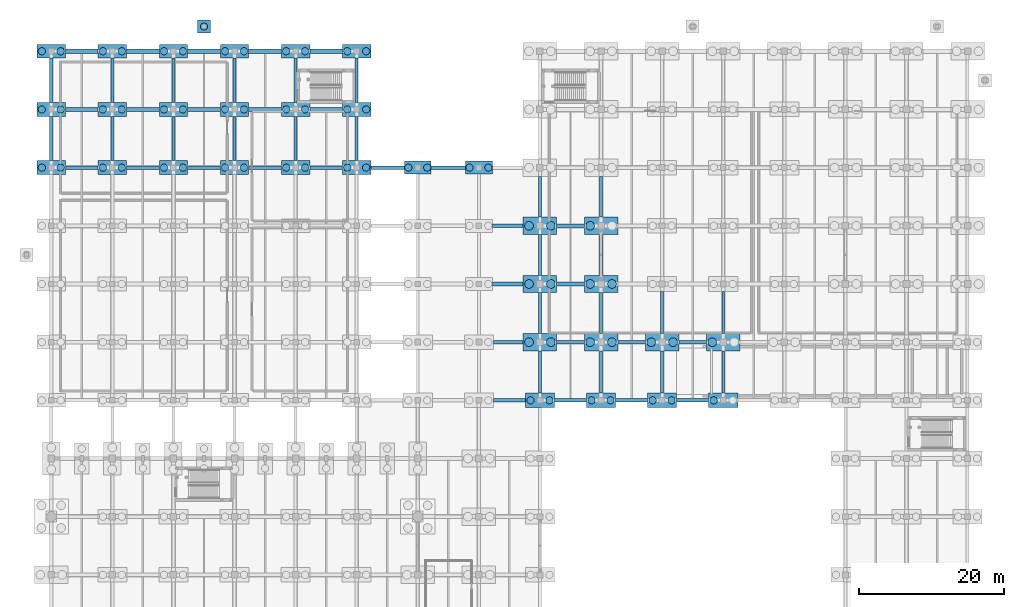
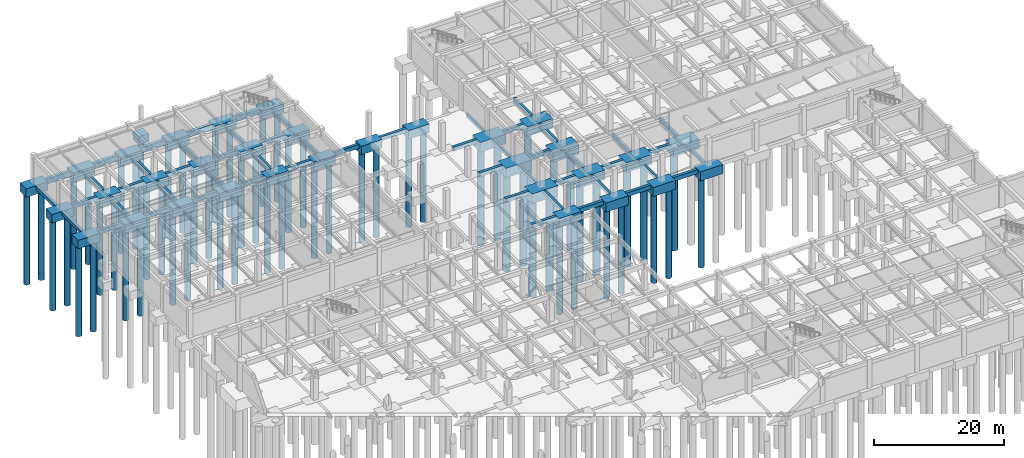
# One storey, part 7 of 56: 86 footings, 62 piles.
"""IFC4 building model written with IfcOpenShell, lengths in metres."""

from ifc_helpers import new_model, si_unit, direction, frame, origin, origin_2d, place, context, subcontext, project, spatial, rectangle, circle, extrude, material, material_profile, profile_set, type_object, element, save


model = new_model("IFC4")

# Units and contexts
model_context = context("Model", 3, precision=1e-05, world=origin(), true_north=direction((0.0, 1.0)))
body_context = subcontext(model_context, "Body", "Model", "MODEL_VIEW")
ifc_project = project(units=[si_unit("LENGTHUNIT", "METRE"), si_unit("AREAUNIT", "SQUARE_METRE"), si_unit("VOLUMEUNIT", "CUBIC_METRE"), si_unit("PLANEANGLEUNIT", "RADIAN"), si_unit("MASSUNIT", "GRAM", prefix="KILO")], contexts=[model_context])

# Site, building, storey
site_placement = place(None, origin())
site = spatial("IfcSite", under=ifc_project, at=site_placement, CompositionType="ELEMENT")
building_placement = place(site_placement, origin())
building = spatial("IfcBuilding", under=site, at=building_placement, Name="Naruveol Harbour Congress Hotel", CompositionType="ELEMENT")
storey_placement = place(building_placement, frame((0.0, 0.0, -5.39990234375)))
storey = spatial("IfcBuildingStorey", under=building, at=storey_placement, Name="B01", CompositionType="ELEMENT", Elevation=-5.39990234375)

# Piles
ifc_material_1 = material(Name="Concrete C40/50", Category="concrete")
ifc_material_profile_1 = material_profile(ifc_material_1, circle(Radius=0.5, at=origin_2d()), Name="BP-1000")
ifc_profile_set_1 = profile_set([ifc_material_profile_1], Name="Concrete C40/50")
pile_type_1 = type_object("IfcPileType", Name="BORED ROCK SOCKETED PILE D1000", PredefinedType="BORED", material=ifc_profile_set_1)
for number, where, z_axis, x_axis, name in (
    (1, (-1.300048828125, 96.0, -1.4501953125), (0.0, 0.0, -1.0), (1.0, 0.0, 0.0), "Bored pile BP-1000 #1 under FTG-CAP-0000-0960"),
    (2, (1.300048828125, 96.0, -1.4501953125), (0.0, 0.0, -1.0), (1.0, 0.0, 0.0), "Bored pile BP-1000 #2 under FTG-CAP-0000-0960"),
    (3, (-1.300048828125, 104.0, -1.4501953125), (0.0, 0.0, -1.0), (1.0, 0.0, 0.0), "Bored pile BP-1000 #1 under FTG-CAP-0000-1040"),
    (4, (1.300048828125, 104.0, -1.4501953125), (0.0, 0.0, -1.0), (1.0, 0.0, 0.0), "Bored pile BP-1000 #2 under FTG-CAP-0000-1040"),
    (5, (-1.300048828125, 112.0, -1.4501953125), (0.0, 0.0, -1.0), (1.0, 0.0, 0.0), "Bored pile BP-1000 #1 under FTG-CAP-0000-1120"),
    (6, (1.300048828125, 112.0, -1.4501953125), (0.0, 0.0, -1.0), (1.0, 0.0, 0.0), "Bored pile BP-1000 #2 under FTG-CAP-0000-1120"),
    (7, (7.10009765625, 96.0, -1.4501953125), (0.0, 0.0, -1.0), (1.0, 0.0, 0.0), "Bored pile BP-1000 #1 under FTG-CAP-0084-0960"),
    (8, (9.699951171875, 96.0, -1.4501953125), (0.0, 0.0, -1.0), (1.0, 0.0, 0.0), "Bored pile BP-1000 #2 under FTG-CAP-0084-0960"),
    (9, (7.10009765625, 104.0, -1.4501953125), (0.0, 0.0, -1.0), (1.0, 0.0, 0.0), "Bored pile BP-1000 #1 under FTG-CAP-0084-1040"),
    (10, (9.699951171875, 104.0, -1.4501953125), (0.0, 0.0, -1.0), (1.0, 0.0, 0.0), "Bored pile BP-1000 #2 under FTG-CAP-0084-1040"),
    (11, (7.10009765625, 112.0, -1.4501953125), (0.0, 0.0, -1.0), (1.0, 0.0, 0.0), "Bored pile BP-1000 #1 under FTG-CAP-0084-1120"),
    (12, (9.699951171875, 112.0, -1.4501953125), (0.0, 0.0, -1.0), (1.0, 0.0, 0.0), "Bored pile BP-1000 #2 under FTG-CAP-0084-1120"),
    (13, (15.5, 96.0, -1.4501953125), (0.0, 0.0, -1.0), (1.0, 0.0, 0.0), "Bored pile BP-1000 #1 under FTG-CAP-0168-0960"),
    (14, (18.10009765625, 96.0, -1.4501953125), (0.0, 0.0, -1.0), (1.0, 0.0, 0.0), "Bored pile BP-1000 #2 under FTG-CAP-0168-0960"),
    (15, (15.5, 104.0, -1.4501953125), (0.0, 0.0, -1.0), (1.0, 0.0, 0.0), "Bored pile BP-1000 #1 under FTG-CAP-0168-1040"),
    (16, (18.10009765625, 104.0, -1.4501953125), (0.0, 0.0, -1.0), (1.0, 0.0, 0.0), "Bored pile BP-1000 #2 under FTG-CAP-0168-1040"),
    (17, (15.5, 112.0, -1.4501953125), (0.0, 0.0, -1.0), (1.0, 0.0, 0.0), "Bored pile BP-1000 #1 under FTG-CAP-0168-1120"),
    (18, (18.10009765625, 112.0, -1.4501953125), (0.0, 0.0, -1.0), (1.0, 0.0, 0.0), "Bored pile BP-1000 #2 under FTG-CAP-0168-1120"),
):
    element("IfcPile", number, at=place(storey_placement, frame(where, z_axis=z_axis, x_axis=x_axis)), inside=storey, type_object=pile_type_1, Name=name, PredefinedType="BORED", context=body_context, shape_type="SweptSolid", body=[
        extrude(circle(Radius=0.5, at=origin_2d()), origin(), (0.0, 0.0, 1.0), 17.14990234375),
    ])
pile_placement = place(storey_placement, frame((21.0, 115.39990234375, -1.35009765625), z_axis=(0.0, 0.0, -1.0), x_axis=(1.0, 0.0, 0.0)))
element("IfcPile", 19, at=pile_placement, inside=storey, type_object=pile_type_1, Name="Bored pile BP-1000 #1 under FTG-CAP-0210-1154", PredefinedType="BORED", context=body_context, shape_type="SweptSolid", body=[
    extrude(circle(Radius=0.5, at=origin_2d()), origin(), (0.0, 0.0, 1.0), 17.25),
])
for number, where, z_axis, x_axis, name in (
    (20, (23.89990234375, 96.0, -1.4501953125), (0.0, 0.0, -1.0), (1.0, 0.0, 0.0), "Bored pile BP-1000 #1 under FTG-CAP-0252-0960"),
    (21, (26.5, 96.0, -1.4501953125), (0.0, 0.0, -1.0), (1.0, 0.0, 0.0), "Bored pile BP-1000 #2 under FTG-CAP-0252-0960"),
    (22, (23.89990234375, 104.0, -1.4501953125), (0.0, 0.0, -1.0), (1.0, 0.0, 0.0), "Bored pile BP-1000 #1 under FTG-CAP-0252-1040"),
    (23, (26.5, 104.0, -1.4501953125), (0.0, 0.0, -1.0), (1.0, 0.0, 0.0), "Bored pile BP-1000 #2 under FTG-CAP-0252-1040"),
    (24, (23.89990234375, 112.0, -1.4501953125), (0.0, 0.0, -1.0), (1.0, 0.0, 0.0), "Bored pile BP-1000 #1 under FTG-CAP-0252-1120"),
    (25, (26.5, 112.0, -1.4501953125), (0.0, 0.0, -1.0), (1.0, 0.0, 0.0), "Bored pile BP-1000 #2 under FTG-CAP-0252-1120"),
    (26, (32.300048828125, 96.0, -1.4501953125), (0.0, 0.0, -1.0), (1.0, 0.0, 0.0), "Bored pile BP-1000 #1 under FTG-CAP-0336-0960"),
    (27, (34.89990234375, 96.0, -1.4501953125), (0.0, 0.0, -1.0), (1.0, 0.0, 0.0), "Bored pile BP-1000 #2 under FTG-CAP-0336-0960"),
    (28, (32.300048828125, 104.0, -1.4501953125), (0.0, 0.0, -1.0), (1.0, 0.0, 0.0), "Bored pile BP-1000 #1 under FTG-CAP-0336-1040"),
    (29, (34.89990234375, 104.0, -1.4501953125), (0.0, 0.0, -1.0), (1.0, 0.0, 0.0), "Bored pile BP-1000 #2 under FTG-CAP-0336-1040"),
    (30, (32.300048828125, 112.0, -1.4501953125), (0.0, 0.0, -1.0), (1.0, 0.0, 0.0), "Bored pile BP-1000 #1 under FTG-CAP-0336-1120"),
    (31, (34.89990234375, 112.0, -1.4501953125), (0.0, 0.0, -1.0), (1.0, 0.0, 0.0), "Bored pile BP-1000 #2 under FTG-CAP-0336-1120"),
    (32, (40.699951171875, 96.0, -1.4501953125), (0.0, 0.0, -1.0), (1.0, 0.0, 0.0), "Bored pile BP-1000 #1 under FTG-CAP-0420-0960"),
    (33, (43.300048828125, 96.0, -1.4501953125), (0.0, 0.0, -1.0), (1.0, 0.0, 0.0), "Bored pile BP-1000 #2 under FTG-CAP-0420-0960"),
    (34, (40.699951171875, 104.0, -1.4501953125), (0.0, 0.0, -1.0), (1.0, 0.0, 0.0), "Bored pile BP-1000 #1 under FTG-CAP-0420-1040"),
    (35, (43.300048828125, 104.0, -1.4501953125), (0.0, 0.0, -1.0), (1.0, 0.0, 0.0), "Bored pile BP-1000 #2 under FTG-CAP-0420-1040"),
    (36, (40.699951171875, 112.0, -1.4501953125), (0.0, 0.0, -1.0), (1.0, 0.0, 0.0), "Bored pile BP-1000 #1 under FTG-CAP-0420-1120"),
    (37, (43.300048828125, 112.0, -1.4501953125), (0.0, 0.0, -1.0), (1.0, 0.0, 0.0), "Bored pile BP-1000 #2 under FTG-CAP-0420-1120"),
    (38, (49.10009765625, 96.0, -1.4501953125), (0.0, 0.0, -1.0), (1.0, 0.0, 0.0), "Bored pile BP-1000 #1 under FTG-CAP-0504-0960"),
    (39, (51.699951171875, 96.0, -1.4501953125), (0.0, 0.0, -1.0), (1.0, 0.0, 0.0), "Bored pile BP-1000 #2 under FTG-CAP-0504-0960"),
    (40, (57.5, 96.0, -1.4501953125), (0.0, 0.0, -1.0), (1.0, 0.0, 0.0), "Bored pile BP-1000 #1 under FTG-CAP-0588-0960"),
    (41, (60.10009765625, 96.0, -1.4501953125), (0.0, 0.0, -1.0), (1.0, 0.0, 0.0), "Bored pile BP-1000 #2 under FTG-CAP-0588-0960"),
):
    element("IfcPile", number, at=place(storey_placement, frame(where, z_axis=z_axis, x_axis=x_axis)), inside=storey, type_object=pile_type_1, Name=name, PredefinedType="BORED", context=body_context, shape_type="SweptSolid", body=[
        extrude(circle(Radius=0.5, at=origin_2d()), origin(), (0.0, 0.0, 1.0), 17.14990234375),
    ])
for number, where, z_axis, x_axis, name in (
    (42, (65.89990234375, 64.0, -1.550048828125), (0.0, 0.0, -1.0), (1.0, 0.0, 0.0), "Bored pile BP-1000 #1 under FTG-CAP-0672-0640"),
    (43, (68.5, 64.0, -1.550048828125), (0.0, 0.0, -1.0), (1.0, 0.0, 0.0), "Bored pile BP-1000 #2 under FTG-CAP-0672-0640"),
    (44, (74.300048828125, 64.0, -1.550048828125), (0.0, 0.0, -1.0), (1.0, 0.0, 0.0), "Bored pile BP-1000 #1 under FTG-CAP-0756-0640"),
    (45, (76.89990234375, 64.0, -1.550048828125), (0.0, 0.0, -1.0), (1.0, 0.0, 0.0), "Bored pile BP-1000 #2 under FTG-CAP-0756-0640"),
    (46, (82.699951171875, 64.0, -1.550048828125), (0.0, 0.0, -1.0), (1.0, 0.0, 0.0), "Bored pile BP-1000 #1 under FTG-CAP-0840-0640"),
    (47, (85.300048828125, 64.0, -1.550048828125), (0.0, 0.0, -1.0), (1.0, 0.0, 0.0), "Bored pile BP-1000 #2 under FTG-CAP-0840-0640"),
    (48, (91.10009765625, 64.0, -1.550048828125), (0.0, 0.0, -1.0), (1.0, 0.0, 0.0), "Bored pile BP-1000 #1 under FTG-CAP-0924-0640"),
):
    element("IfcPile", number, at=place(storey_placement, frame(where, z_axis=z_axis, x_axis=x_axis)), inside=storey, type_object=pile_type_1, Name=name, PredefinedType="BORED", context=body_context, shape_type="SweptSolid", body=[
        extrude(circle(Radius=0.5, at=origin_2d()), origin(), (0.0, 0.0, 1.0), 17.050048828125),
    ])
ifc_material_2 = material(Name="Concrete C40/50", Category="concrete")
ifc_material_profile_2 = material_profile(ifc_material_2, circle(Radius=0.60009765625, at=origin_2d()), Name="BP-1200")
ifc_profile_set_2 = profile_set([ifc_material_profile_2], Name="Concrete C40/50")
pile_type_2 = type_object("IfcPileType", Name="BORED ROCK SOCKETED PILE D1200", PredefinedType="BORED", material=ifc_profile_set_2)
for number, where, z_axis, x_axis, name in (
    (49, (65.699951171875, 72.0, -1.650146484375), (0.0, 0.0, -1.0), (1.0, 0.0, 0.0), "Bored pile BP-1200 #1 under FTG-CAP-0672-0720"),
    (50, (68.699951171875, 72.0, -1.650146484375), (0.0, 0.0, -1.0), (1.0, 0.0, 0.0), "Bored pile BP-1200 #2 under FTG-CAP-0672-0720"),
    (51, (65.699951171875, 80.0, -1.650146484375), (0.0, 0.0, -1.0), (1.0, 0.0, 0.0), "Bored pile BP-1200 #1 under FTG-CAP-0672-0800"),
    (52, (68.699951171875, 80.0, -1.650146484375), (0.0, 0.0, -1.0), (1.0, 0.0, 0.0), "Bored pile BP-1200 #2 under FTG-CAP-0672-0800"),
    (53, (65.699951171875, 88.0, -1.650146484375), (0.0, 0.0, -1.0), (1.0, 0.0, 0.0), "Bored pile BP-1200 #1 under FTG-CAP-0672-0880"),
    (54, (68.699951171875, 88.0, -1.650146484375), (0.0, 0.0, -1.0), (1.0, 0.0, 0.0), "Bored pile BP-1200 #2 under FTG-CAP-0672-0880"),
    (55, (74.10009765625, 72.0, -1.650146484375), (0.0, 0.0, -1.0), (1.0, 0.0, 0.0), "Bored pile BP-1200 #1 under FTG-CAP-0756-0720"),
    (56, (77.10009765625, 72.0, -1.650146484375), (0.0, 0.0, -1.0), (1.0, 0.0, 0.0), "Bored pile BP-1200 #2 under FTG-CAP-0756-0720"),
    (57, (74.10009765625, 80.0, -1.650146484375), (0.0, 0.0, -1.0), (1.0, 0.0, 0.0), "Bored pile BP-1200 #1 under FTG-CAP-0756-0800"),
    (58, (77.10009765625, 80.0, -1.650146484375), (0.0, 0.0, -1.0), (1.0, 0.0, 0.0), "Bored pile BP-1200 #2 under FTG-CAP-0756-0800"),
    (59, (74.10009765625, 88.0, -1.650146484375), (0.0, 0.0, -1.0), (1.0, 0.0, 0.0), "Bored pile BP-1200 #1 under FTG-CAP-0756-0880"),
    (60, (82.5, 72.0, -1.650146484375), (0.0, 0.0, -1.0), (1.0, 0.0, 0.0), "Bored pile BP-1200 #1 under FTG-CAP-0840-0720"),
    (61, (85.5, 72.0, -1.650146484375), (0.0, 0.0, -1.0), (1.0, 0.0, 0.0), "Bored pile BP-1200 #2 under FTG-CAP-0840-0720"),
    (62, (90.89990234375, 72.0, -1.650146484375), (0.0, 0.0, -1.0), (1.0, 0.0, 0.0), "Bored pile BP-1200 #1 under FTG-CAP-0924-0720"),
):
    element("IfcPile", number, at=place(storey_placement, frame(where, z_axis=z_axis, x_axis=x_axis)), inside=storey, type_object=pile_type_2, Name=name, PredefinedType="BORED", context=body_context, shape_type="SweptSolid", body=[
        extrude(circle(Radius=0.60009765625, at=origin_2d()), origin(), (0.0, 0.0, 1.0), 18.449951171875),
    ])

# Footings
ifc_material_3 = material(Name="Concrete C40/50", Category="concrete")
footing_type_1 = type_object("IfcFootingType", Name="RC APRON EDGE PILE CAP 1800X1800X1500", PredefinedType="PILE_CAP", material=ifc_material_3)
footing_1_placement = place(storey_placement, frame((21.0, 115.39990234375, -1.5), z_axis=(0.0, 0.0, 1.0), x_axis=(1.0, 0.0, 0.0)))
element("IfcFooting", 63, at=footing_1_placement, inside=storey, type_object=footing_type_1, Name="Pile cap PC9 at (21.0, 115.4)", PredefinedType="PILE_CAP", context=body_context, shape_type="SweptSolid", body=[
    extrude(rectangle(XDim=1.800048828125, YDim=1.800048828125, at=origin_2d()), origin(), (0.0, 0.0, 1.0), 1.5),
])
ifc_material_4 = material(Name="Concrete C40/50", Category="concrete")
ifc_material_profile_3 = material_profile(ifc_material_4, rectangle(XDim=0.39990234375, YDim=0.64990234375, at=origin_2d()), Name="RCB-400x650")
ifc_profile_set_3 = profile_set([ifc_material_profile_3], Name="Concrete C40/50")
footing_type_2 = type_object("IfcFootingType", Name="RC COLONNADE TIE BEAM 400X650", PredefinedType="FOOTING_BEAM", material=ifc_profile_set_3)
for number, where, z_axis, x_axis, name in (
    (64, (8.39990234375, 96.949951171875, -0.3251953125), (0.0, 1.0, 0.0), (-1.0, 0.0, 0.0), "Foundation tie beam TB4 #252"),
    (65, (8.39990234375, 104.949951171875, -0.3251953125), (0.0, 1.0, 0.0), (-1.0, 0.0, 0.0), "Foundation tie beam TB4 #253"),
    (66, (16.800048828125, 96.949951171875, -0.3251953125), (0.0, 1.0, 0.0), (-1.0, 0.0, 0.0), "Foundation tie beam TB4 #266"),
    (67, (16.800048828125, 104.949951171875, -0.3251953125), (0.0, 1.0, 0.0), (-1.0, 0.0, 0.0), "Foundation tie beam TB4 #267"),
    (68, (25.199951171875, 96.949951171875, -0.3251953125), (0.0, 1.0, 0.0), (-1.0, 0.0, 0.0), "Foundation tie beam TB4 #280"),
    (69, (25.199951171875, 104.949951171875, -0.3251953125), (0.0, 1.0, 0.0), (-1.0, 0.0, 0.0), "Foundation tie beam TB4 #281"),
    (70, (33.60009765625, 96.949951171875, -0.3251953125), (0.0, 1.0, 0.0), (-1.0, 0.0, 0.0), "Foundation tie beam TB4 #294"),
    (71, (33.60009765625, 104.949951171875, -0.3251953125), (0.0, 1.0, 0.0), (-1.0, 0.0, 0.0), "Foundation tie beam TB4 #295"),
    (72, (42.0, 96.949951171875, -0.3251953125), (0.0, 1.0, 0.0), (-1.0, 0.0, 0.0), "Foundation tie beam TB4 #308"),
    (73, (42.0, 104.949951171875, -0.3251953125), (0.0, 1.0, 0.0), (-1.0, 0.0, 0.0), "Foundation tie beam TB4 #309"),
):
    element("IfcFooting", number, at=place(storey_placement, frame(where, z_axis=z_axis, x_axis=x_axis)), inside=storey, type_object=footing_type_2, Name=name, PredefinedType="FOOTING_BEAM", context=body_context, shape_type="SweptSolid", body=[
        extrude(rectangle(XDim=0.39990234375, YDim=0.64990234375, at=origin_2d()), origin(), (0.0, 0.0, 1.0), 6.10009765625),
    ])
footing_2_placement = place(storey_placement, frame((67.199951171875, 65.0, -0.3251953125), z_axis=(0.0, 1.0, 0.0), x_axis=(-1.0, 0.0, 0.0)))
element("IfcFooting", 74, at=footing_2_placement, inside=storey, type_object=footing_type_2, Name="Foundation tie beam TB4 #342", PredefinedType="FOOTING_BEAM", context=body_context, shape_type="SweptSolid", body=[
    extrude(rectangle(XDim=0.39990234375, YDim=0.64990234375, at=origin_2d()), origin(), (0.0, 0.0, 1.0), 5.800048828125),
])
for number, where, z_axis, x_axis, name in (
    (75, (67.199951171875, 73.199951171875, -0.3251953125), (0.0, 1.0, 0.0), (-1.0, 0.0, 0.0), "Foundation tie beam TB4 #343"),
    (76, (67.199951171875, 81.199951171875, -0.3251953125), (0.0, 1.0, 0.0), (-1.0, 0.0, 0.0), "Foundation tie beam TB4 #344"),
    (77, (67.199951171875, 89.199951171875, -0.3251953125), (0.0, 1.0, 0.0), (-1.0, 0.0, 0.0), "Foundation tie beam TB4 #345"),
):
    element("IfcFooting", number, at=place(storey_placement, frame(where, z_axis=z_axis, x_axis=x_axis)), inside=storey, type_object=footing_type_2, Name=name, PredefinedType="FOOTING_BEAM", context=body_context, shape_type="SweptSolid", body=[
        extrude(rectangle(XDim=0.39990234375, YDim=0.64990234375, at=origin_2d()), origin(), (0.0, 0.0, 1.0), 5.60009765625),
    ])
footing_3_placement = place(storey_placement, frame((75.60009765625, 65.0, -0.3251953125), z_axis=(0.0, 1.0, 0.0), x_axis=(-1.0, 0.0, 0.0)))
element("IfcFooting", 78, at=footing_3_placement, inside=storey, type_object=footing_type_2, Name="Foundation tie beam TB4 #352", PredefinedType="FOOTING_BEAM", context=body_context, shape_type="SweptSolid", body=[
    extrude(rectangle(XDim=0.39990234375, YDim=0.64990234375, at=origin_2d()), origin(), (0.0, 0.0, 1.0), 5.800048828125),
])
for number, where, z_axis, x_axis, name in (
    (79, (75.60009765625, 73.199951171875, -0.3251953125), (0.0, 1.0, 0.0), (-1.0, 0.0, 0.0), "Foundation tie beam TB4 #353"),
    (80, (75.60009765625, 81.199951171875, -0.3251953125), (0.0, 1.0, 0.0), (-1.0, 0.0, 0.0), "Foundation tie beam TB4 #354"),
    (81, (75.60009765625, 89.199951171875, -0.3251953125), (0.0, 1.0, 0.0), (-1.0, 0.0, 0.0), "Foundation tie beam TB4 #355"),
):
    element("IfcFooting", number, at=place(storey_placement, frame(where, z_axis=z_axis, x_axis=x_axis)), inside=storey, type_object=footing_type_2, Name=name, PredefinedType="FOOTING_BEAM", context=body_context, shape_type="SweptSolid", body=[
        extrude(rectangle(XDim=0.39990234375, YDim=0.64990234375, at=origin_2d()), origin(), (0.0, 0.0, 1.0), 5.60009765625),
    ])
for number, where, z_axis, x_axis, name in (
    (82, (84.0, 65.0, -0.3251953125), (0.0, 1.0, 0.0), (-1.0, 0.0, 0.0), "Foundation tie beam TB4 #362"),
    (83, (84.0, 73.199951171875, -0.3251953125), (0.0, 1.0, 0.0), (-1.0, 0.0, 0.0), "Foundation tie beam TB4 #363"),
    (84, (92.39990234375, 65.0, -0.3251953125), (0.0, 1.0, 0.0), (-1.0, 0.0, 0.0), "Foundation tie beam TB4 #372"),
    (85, (92.39990234375, 73.199951171875, -0.3251953125), (0.0, 1.0, 0.0), (-1.0, 0.0, 0.0), "Foundation tie beam TB4 #373"),
):
    element("IfcFooting", number, at=place(storey_placement, frame(where, z_axis=z_axis, x_axis=x_axis)), inside=storey, type_object=footing_type_2, Name=name, PredefinedType="FOOTING_BEAM", context=body_context, shape_type="SweptSolid", body=[
        extrude(rectangle(XDim=0.39990234375, YDim=0.64990234375, at=origin_2d()), origin(), (0.0, 0.0, 1.0), 5.800048828125),
    ])
ifc_material_5 = material(Name="Concrete C40/50", Category="concrete")
ifc_material_profile_4 = material_profile(ifc_material_5, rectangle(XDim=0.5, YDim=0.75, at=origin_2d()), Name="RCB-500x750")
ifc_profile_set_4 = profile_set([ifc_material_profile_4], Name="Concrete C40/50")
footing_type_3 = type_object("IfcFootingType", Name="RC FOUNDATION TIE BEAM 500X750", PredefinedType="FOOTING_BEAM", material=ifc_profile_set_4)
footing_4_placement = place(storey_placement, frame((60.800048828125, 64.0, -0.375), z_axis=(1.0, 0.0, 0.0), x_axis=(0.0, 1.0, 0.0)))
element("IfcFooting", 86, at=footing_4_placement, inside=storey, type_object=footing_type_3, Name="Foundation tie beam TB2 #134", PredefinedType="FOOTING_BEAM", context=body_context, shape_type="SweptSolid", body=[
    extrude(rectangle(XDim=0.5, YDim=0.75, at=origin_2d()), origin(), (0.0, 0.0, 1.0), 4.39990234375),
])
footing_5_placement = place(storey_placement, frame((69.199951171875, 64.0, -0.375), z_axis=(1.0, 0.0, 0.0), x_axis=(0.0, 1.0, 0.0)))
element("IfcFooting", 87, at=footing_5_placement, inside=storey, type_object=footing_type_3, Name="Foundation tie beam TB2 #135", PredefinedType="FOOTING_BEAM", context=body_context, shape_type="SweptSolid", body=[
    extrude(rectangle(XDim=0.5, YDim=0.75, at=origin_2d()), origin(), (0.0, 0.0, 1.0), 4.400146484375),
])
for number, where, z_axis, x_axis, name in (
    (88, (77.60009765625, 64.0, -0.375), (1.0, 0.0, 0.0), (0.0, 1.0, 0.0), "Foundation tie beam TB2 #136"),
    (89, (86.0, 64.0, -0.375), (1.0, 0.0, 0.0), (0.0, 1.0, 0.0), "Foundation tie beam TB2 #137"),
):
    element("IfcFooting", number, at=place(storey_placement, frame(where, z_axis=z_axis, x_axis=x_axis)), inside=storey, type_object=footing_type_3, Name=name, PredefinedType="FOOTING_BEAM", context=body_context, shape_type="SweptSolid", body=[
        extrude(rectangle(XDim=0.5, YDim=0.75, at=origin_2d()), origin(), (0.0, 0.0, 1.0), 4.39990234375),
    ])
footing_6_placement = place(storey_placement, frame((60.800048828125, 72.0, -0.375), z_axis=(1.0, 0.0, 0.0), x_axis=(0.0, 1.0, 0.0)))
element("IfcFooting", 90, at=footing_6_placement, inside=storey, type_object=footing_type_3, Name="Foundation tie beam TB2 #149", PredefinedType="FOOTING_BEAM", context=body_context, shape_type="SweptSolid", body=[
    extrude(rectangle(XDim=0.5, YDim=0.75, at=origin_2d()), origin(), (0.0, 0.0, 1.0), 4.099853515625),
])
for number, where, z_axis, x_axis, name in (
    (91, (69.5, 72.0, -0.375), (1.0, 0.0, 0.0), (0.0, 1.0, 0.0), "Foundation tie beam TB2 #150"),
    (92, (77.89990234375, 72.0, -0.375), (1.0, 0.0, 0.0), (0.0, 1.0, 0.0), "Foundation tie beam TB2 #151"),
    (93, (86.300048828125, 72.0, -0.375), (1.0, 0.0, 0.0), (0.0, 1.0, 0.0), "Foundation tie beam TB2 #152"),
):
    element("IfcFooting", number, at=place(storey_placement, frame(where, z_axis=z_axis, x_axis=x_axis)), inside=storey, type_object=footing_type_3, Name=name, PredefinedType="FOOTING_BEAM", context=body_context, shape_type="SweptSolid", body=[
        extrude(rectangle(XDim=0.5, YDim=0.75, at=origin_2d()), origin(), (0.0, 0.0, 1.0), 3.800048828125),
    ])
footing_7_placement = place(storey_placement, frame((60.64990234375, 80.0, -0.375), z_axis=(1.0, 0.0, 0.0), x_axis=(0.0, 1.0, 0.0)))
element("IfcFooting", 94, at=footing_7_placement, inside=storey, type_object=footing_type_3, Name="Foundation tie beam TB2 #164", PredefinedType="FOOTING_BEAM", context=body_context, shape_type="SweptSolid", body=[
    extrude(rectangle(XDim=0.5, YDim=0.75, at=origin_2d()), origin(), (0.0, 0.0, 1.0), 4.25),
])
footing_8_placement = place(storey_placement, frame((69.5, 80.0, -0.375), z_axis=(1.0, 0.0, 0.0), x_axis=(0.0, 1.0, 0.0)))
element("IfcFooting", 95, at=footing_8_placement, inside=storey, type_object=footing_type_3, Name="Foundation tie beam TB2 #165", PredefinedType="FOOTING_BEAM", context=body_context, shape_type="SweptSolid", body=[
    extrude(rectangle(XDim=0.5, YDim=0.75, at=origin_2d()), origin(), (0.0, 0.0, 1.0), 3.800048828125),
])
footing_9_placement = place(storey_placement, frame((60.64990234375, 88.0, -0.375), z_axis=(1.0, 0.0, 0.0), x_axis=(0.0, 1.0, 0.0)))
element("IfcFooting", 96, at=footing_9_placement, inside=storey, type_object=footing_type_3, Name="Foundation tie beam TB2 #179", PredefinedType="FOOTING_BEAM", context=body_context, shape_type="SweptSolid", body=[
    extrude(rectangle(XDim=0.5, YDim=0.75, at=origin_2d()), origin(), (0.0, 0.0, 1.0), 4.25),
])
footing_10_placement = place(storey_placement, frame((69.5, 88.0, -0.375), z_axis=(1.0, 0.0, 0.0), x_axis=(0.0, 1.0, 0.0)))
element("IfcFooting", 97, at=footing_10_placement, inside=storey, type_object=footing_type_3, Name="Foundation tie beam TB2 #180", PredefinedType="FOOTING_BEAM", context=body_context, shape_type="SweptSolid", body=[
    extrude(rectangle(XDim=0.5, YDim=0.75, at=origin_2d()), origin(), (0.0, 0.0, 1.0), 3.800048828125),
])
for number, where, z_axis, x_axis, name in (
    (98, (1.949951171875, 96.0, -0.375), (1.0, 0.0, 0.0), (0.0, 1.0, 0.0), "Foundation tie beam TB2 #187"),
    (99, (10.35009765625, 96.0, -0.375), (1.0, 0.0, 0.0), (0.0, 1.0, 0.0), "Foundation tie beam TB2 #188"),
    (100, (18.75, 96.0, -0.375), (1.0, 0.0, 0.0), (0.0, 1.0, 0.0), "Foundation tie beam TB2 #189"),
    (101, (27.14990234375, 96.0, -0.375), (1.0, 0.0, 0.0), (0.0, 1.0, 0.0), "Foundation tie beam TB2 #190"),
    (102, (35.550048828125, 96.0, -0.375), (1.0, 0.0, 0.0), (0.0, 1.0, 0.0), "Foundation tie beam TB2 #191"),
):
    element("IfcFooting", number, at=place(storey_placement, frame(where, z_axis=z_axis, x_axis=x_axis)), inside=storey, type_object=footing_type_3, Name=name, PredefinedType="FOOTING_BEAM", context=body_context, shape_type="SweptSolid", body=[
        extrude(rectangle(XDim=0.5, YDim=0.75, at=origin_2d()), origin(), (0.0, 0.0, 1.0), 4.5),
    ])
footing_11_placement = place(storey_placement, frame((43.949951171875, 96.0, -0.375), z_axis=(1.0, 0.0, 0.0), x_axis=(0.0, 1.0, 0.0)))
element("IfcFooting", 103, at=footing_11_placement, inside=storey, type_object=footing_type_3, Name="Foundation tie beam TB2 #192", PredefinedType="FOOTING_BEAM", context=body_context, shape_type="SweptSolid", body=[
    extrude(rectangle(XDim=0.5, YDim=0.75, at=origin_2d()), origin(), (0.0, 0.0, 1.0), 4.60009765625),
])
footing_12_placement = place(storey_placement, frame((52.25, 96.0, -0.375), z_axis=(1.0, 0.0, 0.0), x_axis=(0.0, 1.0, 0.0)))
element("IfcFooting", 104, at=footing_12_placement, inside=storey, type_object=footing_type_3, Name="Foundation tie beam TB2 #193", PredefinedType="FOOTING_BEAM", context=body_context, shape_type="SweptSolid", body=[
    extrude(rectangle(XDim=0.5, YDim=0.75, at=origin_2d()), origin(), (0.0, 0.0, 1.0), 4.699951171875),
])
for number, where, z_axis, x_axis, name in (
    (105, (1.949951171875, 104.0, -0.375), (1.0, 0.0, 0.0), (0.0, 1.0, 0.0), "Foundation tie beam TB2 #202"),
    (106, (10.35009765625, 104.0, -0.375), (1.0, 0.0, 0.0), (0.0, 1.0, 0.0), "Foundation tie beam TB2 #203"),
    (107, (18.75, 104.0, -0.375), (1.0, 0.0, 0.0), (0.0, 1.0, 0.0), "Foundation tie beam TB2 #204"),
    (108, (27.14990234375, 104.0, -0.375), (1.0, 0.0, 0.0), (0.0, 1.0, 0.0), "Foundation tie beam TB2 #205"),
    (109, (35.550048828125, 104.0, -0.375), (1.0, 0.0, 0.0), (0.0, 1.0, 0.0), "Foundation tie beam TB2 #206"),
):
    element("IfcFooting", number, at=place(storey_placement, frame(where, z_axis=z_axis, x_axis=x_axis)), inside=storey, type_object=footing_type_3, Name=name, PredefinedType="FOOTING_BEAM", context=body_context, shape_type="SweptSolid", body=[
        extrude(rectangle(XDim=0.5, YDim=0.75, at=origin_2d()), origin(), (0.0, 0.0, 1.0), 4.5),
    ])
ifc_material_6 = material(Name="Concrete C40/50", Category="concrete")
ifc_material_profile_5 = material_profile(ifc_material_6, rectangle(XDim=0.60009765625, YDim=0.949951171875, at=origin_2d()), Name="RCB-600x950")
ifc_profile_set_5 = profile_set([ifc_material_profile_5], Name="Concrete C40/50")
footing_type_4 = type_object("IfcFootingType", Name="RC FOUNDATION TIE BEAM 600X900", PredefinedType="FOOTING_BEAM", material=ifc_profile_set_5)
for number, where, z_axis, x_axis, name in (
    (110, (1.949951171875, 112.0, -0.47509765625), (1.0, 0.0, 0.0), (0.0, 1.0, 0.0), "Foundation tie beam TB1 #214"),
    (111, (10.35009765625, 112.0, -0.47509765625), (1.0, 0.0, 0.0), (0.0, 1.0, 0.0), "Foundation tie beam TB1 #215"),
    (112, (18.75, 112.0, -0.47509765625), (1.0, 0.0, 0.0), (0.0, 1.0, 0.0), "Foundation tie beam TB1 #216"),
    (113, (27.14990234375, 112.0, -0.47509765625), (1.0, 0.0, 0.0), (0.0, 1.0, 0.0), "Foundation tie beam TB1 #217"),
    (114, (35.550048828125, 112.0, -0.47509765625), (1.0, 0.0, 0.0), (0.0, 1.0, 0.0), "Foundation tie beam TB1 #218"),
):
    element("IfcFooting", number, at=place(storey_placement, frame(where, z_axis=z_axis, x_axis=x_axis)), inside=storey, type_object=footing_type_4, Name=name, PredefinedType="FOOTING_BEAM", context=body_context, shape_type="SweptSolid", body=[
        extrude(rectangle(XDim=0.60009765625, YDim=0.949951171875, at=origin_2d()), origin(), (0.0, 0.0, 1.0), 4.5),
    ])
ifc_material_7 = material(Name="Concrete C40/50", Category="concrete")
footing_type_5 = type_object("IfcFootingType", Name="RC HALL PILE CAP 4600X2400X1800", PredefinedType="PILE_CAP", material=ifc_material_7)
for number, where, z_axis, x_axis, name in (
    (115, (67.199951171875, 72.0, -1.80029296875), (0.0, 0.0, 1.0), (1.0, 0.0, 0.0), "Pile cap PC5 at (67.2, 72.0)"),
    (116, (67.199951171875, 80.0, -1.80029296875), (0.0, 0.0, 1.0), (1.0, 0.0, 0.0), "Pile cap PC5 at (67.2, 80.0)"),
    (117, (67.199951171875, 88.0, -1.80029296875), (0.0, 0.0, 1.0), (1.0, 0.0, 0.0), "Pile cap PC5 at (67.2, 88.0)"),
    (118, (75.60009765625, 72.0, -1.80029296875), (0.0, 0.0, 1.0), (1.0, 0.0, 0.0), "Pile cap PC5 at (75.6, 72.0)"),
    (119, (75.60009765625, 80.0, -1.80029296875), (0.0, 0.0, 1.0), (1.0, 0.0, 0.0), "Pile cap PC5 at (75.6, 80.0)"),
    (120, (75.60009765625, 88.0, -1.80029296875), (0.0, 0.0, 1.0), (1.0, 0.0, 0.0), "Pile cap PC5 at (75.6, 88.0)"),
    (121, (84.0, 72.0, -1.80029296875), (0.0, 0.0, 1.0), (1.0, 0.0, 0.0), "Pile cap PC5 at (84.0, 72.0)"),
    (122, (92.39990234375, 72.0, -1.80029296875), (0.0, 0.0, 1.0), (1.0, 0.0, 0.0), "Pile cap PC5 at (92.4, 72.0)"),
):
    element("IfcFooting", number, at=place(storey_placement, frame(where, z_axis=z_axis, x_axis=x_axis)), inside=storey, type_object=footing_type_5, Name=name, PredefinedType="PILE_CAP", context=body_context, shape_type="SweptSolid", body=[
        extrude(rectangle(XDim=4.60009765625, YDim=2.39990234375, at=origin_2d()), origin(), (0.0, 0.0, 1.0), 1.800048828125),
    ])
ifc_material_8 = material(Name="Concrete C40/50", Category="concrete")
footing_type_6 = type_object("IfcFootingType", Name="RC MARQUISE PILE CAP 3700X1800X1600", PredefinedType="PILE_CAP", material=ifc_material_8)
for number, where, z_axis, x_axis, name in (
    (123, (50.39990234375, 96.0, -1.60009765625), (0.0, 0.0, 1.0), (1.0, 0.0, 0.0), "Pile cap PC10 at (50.4, 96.0)"),
    (124, (58.800048828125, 96.0, -1.60009765625), (0.0, 0.0, 1.0), (1.0, 0.0, 0.0), "Pile cap PC10 at (58.8, 96.0)"),
):
    element("IfcFooting", number, at=place(storey_placement, frame(where, z_axis=z_axis, x_axis=x_axis)), inside=storey, type_object=footing_type_6, Name=name, PredefinedType="PILE_CAP", context=body_context, shape_type="SweptSolid", body=[
        extrude(rectangle(XDim=3.699951171875, YDim=1.800048828125, at=origin_2d()), origin(), (0.0, 0.0, 1.0), 1.60009765625),
    ])
ifc_material_9 = material(Name="Concrete C40/50", Category="concrete")
ifc_material_profile_6 = material_profile(ifc_material_9, rectangle(XDim=0.449951171875, YDim=0.699951171875, at=origin_2d()), Name="RCB-450x700")
ifc_profile_set_6 = profile_set([ifc_material_profile_6], Name="Concrete C40/50")
footing_type_7 = type_object("IfcFootingType", Name="RC PERIMETER GRADE BEAM 450X700", PredefinedType="FOOTING_BEAM", material=ifc_profile_set_6)
for number, where, z_axis, x_axis, name in (
    (125, (0.0, 96.949951171875, -0.35009765625), (0.0, 1.0, 0.0), (-1.0, 0.0, 0.0), "Foundation tie beam TB3 #238"),
    (126, (0.0, 104.949951171875, -0.35009765625), (0.0, 1.0, 0.0), (-1.0, 0.0, 0.0), "Foundation tie beam TB3 #239"),
):
    element("IfcFooting", number, at=place(storey_placement, frame(where, z_axis=z_axis, x_axis=x_axis)), inside=storey, type_object=footing_type_7, Name=name, PredefinedType="FOOTING_BEAM", context=body_context, shape_type="SweptSolid", body=[
        extrude(rectangle(XDim=0.449951171875, YDim=0.699951171875, at=origin_2d()), origin(), (0.0, 0.0, 1.0), 6.10009765625),
    ])
ifc_material_10 = material(Name="Concrete C40/50", Category="concrete")
footing_type_8 = type_object("IfcFootingType", Name="RC PODIUM PILE CAP 4000X2000X1700", PredefinedType="PILE_CAP", material=ifc_material_10)
for number, where, z_axis, x_axis, name in (
    (127, (67.199951171875, 64.0, -1.7001953125), (0.0, 0.0, 1.0), (1.0, 0.0, 0.0), "Pile cap PC6 at (67.2, 64.0)"),
    (128, (75.60009765625, 64.0, -1.7001953125), (0.0, 0.0, 1.0), (1.0, 0.0, 0.0), "Pile cap PC6 at (75.6, 64.0)"),
    (129, (84.0, 64.0, -1.7001953125), (0.0, 0.0, 1.0), (1.0, 0.0, 0.0), "Pile cap PC6 at (84.0, 64.0)"),
    (130, (92.39990234375, 64.0, -1.7001953125), (0.0, 0.0, 1.0), (1.0, 0.0, 0.0), "Pile cap PC6 at (92.4, 64.0)"),
):
    element("IfcFooting", number, at=place(storey_placement, frame(where, z_axis=z_axis, x_axis=x_axis)), inside=storey, type_object=footing_type_8, Name=name, PredefinedType="PILE_CAP", context=body_context, shape_type="SweptSolid", body=[
        extrude(rectangle(XDim=4.0, YDim=2.0, at=origin_2d()), origin(), (0.0, 0.0, 1.0), 1.699951171875),
    ])
ifc_material_11 = material(Name="Concrete C40/50", Category="concrete")
footing_type_9 = type_object("IfcFootingType", Name="RC WING PILE CAP 3900X1900X1600", PredefinedType="PILE_CAP", material=ifc_material_11)
for number, where, z_axis, x_axis, name in (
    (131, (0.0, 96.0, -1.60009765625), (0.0, 0.0, 1.0), (1.0, 0.0, 0.0), "Pile cap PC7 at (0.0, 96.0)"),
    (132, (0.0, 104.0, -1.60009765625), (0.0, 0.0, 1.0), (1.0, 0.0, 0.0), "Pile cap PC7 at (0.0, 104.0)"),
    (133, (0.0, 112.0, -1.60009765625), (0.0, 0.0, 1.0), (1.0, 0.0, 0.0), "Pile cap PC7 at (0.0, 112.0)"),
    (134, (8.39990234375, 96.0, -1.60009765625), (0.0, 0.0, 1.0), (1.0, 0.0, 0.0), "Pile cap PC7 at (8.4, 96.0)"),
    (135, (8.39990234375, 104.0, -1.60009765625), (0.0, 0.0, 1.0), (1.0, 0.0, 0.0), "Pile cap PC7 at (8.4, 104.0)"),
    (136, (8.39990234375, 112.0, -1.60009765625), (0.0, 0.0, 1.0), (1.0, 0.0, 0.0), "Pile cap PC7 at (8.4, 112.0)"),
    (137, (16.800048828125, 96.0, -1.60009765625), (0.0, 0.0, 1.0), (1.0, 0.0, 0.0), "Pile cap PC7 at (16.8, 96.0)"),
    (138, (16.800048828125, 104.0, -1.60009765625), (0.0, 0.0, 1.0), (1.0, 0.0, 0.0), "Pile cap PC7 at (16.8, 104.0)"),
    (139, (16.800048828125, 112.0, -1.60009765625), (0.0, 0.0, 1.0), (1.0, 0.0, 0.0), "Pile cap PC7 at (16.8, 112.0)"),
    (140, (25.199951171875, 96.0, -1.60009765625), (0.0, 0.0, 1.0), (1.0, 0.0, 0.0), "Pile cap PC7 at (25.2, 96.0)"),
    (141, (25.199951171875, 104.0, -1.60009765625), (0.0, 0.0, 1.0), (1.0, 0.0, 0.0), "Pile cap PC7 at (25.2, 104.0)"),
    (142, (25.199951171875, 112.0, -1.60009765625), (0.0, 0.0, 1.0), (1.0, 0.0, 0.0), "Pile cap PC7 at (25.2, 112.0)"),
    (143, (33.60009765625, 96.0, -1.60009765625), (0.0, 0.0, 1.0), (1.0, 0.0, 0.0), "Pile cap PC7 at (33.6, 96.0)"),
    (144, (33.60009765625, 104.0, -1.60009765625), (0.0, 0.0, 1.0), (1.0, 0.0, 0.0), "Pile cap PC7 at (33.6, 104.0)"),
    (145, (33.60009765625, 112.0, -1.60009765625), (0.0, 0.0, 1.0), (1.0, 0.0, 0.0), "Pile cap PC7 at (33.6, 112.0)"),
    (146, (42.0, 96.0, -1.60009765625), (0.0, 0.0, 1.0), (1.0, 0.0, 0.0), "Pile cap PC7 at (42.0, 96.0)"),
    (147, (42.0, 104.0, -1.60009765625), (0.0, 0.0, 1.0), (1.0, 0.0, 0.0), "Pile cap PC7 at (42.0, 104.0)"),
    (148, (42.0, 112.0, -1.60009765625), (0.0, 0.0, 1.0), (1.0, 0.0, 0.0), "Pile cap PC7 at (42.0, 112.0)"),
):
    element("IfcFooting", number, at=place(storey_placement, frame(where, z_axis=z_axis, x_axis=x_axis)), inside=storey, type_object=footing_type_9, Name=name, PredefinedType="PILE_CAP", context=body_context, shape_type="SweptSolid", body=[
        extrude(rectangle(XDim=3.89990234375, YDim=1.89990234375, at=origin_2d()), origin(), (0.0, 0.0, 1.0), 1.60009765625),
    ])

save(model, "model.ifc")
